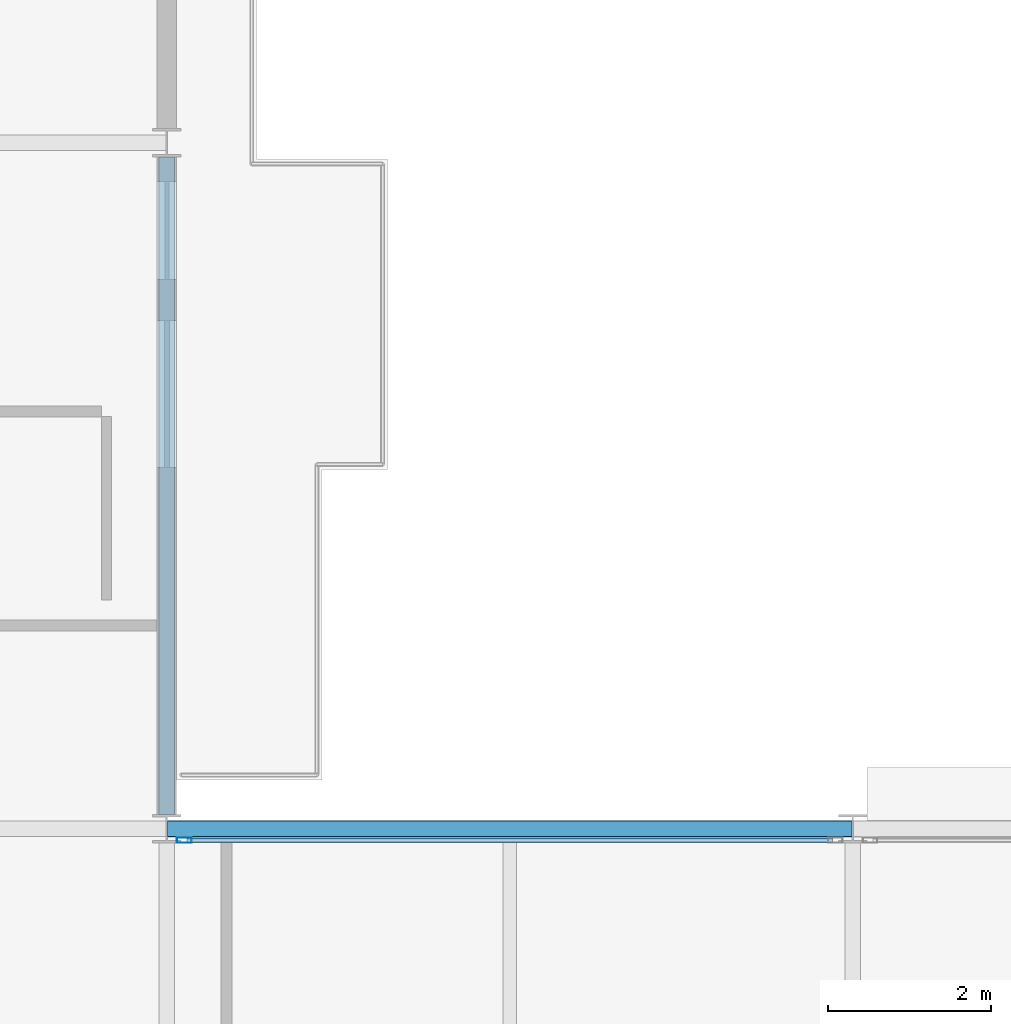
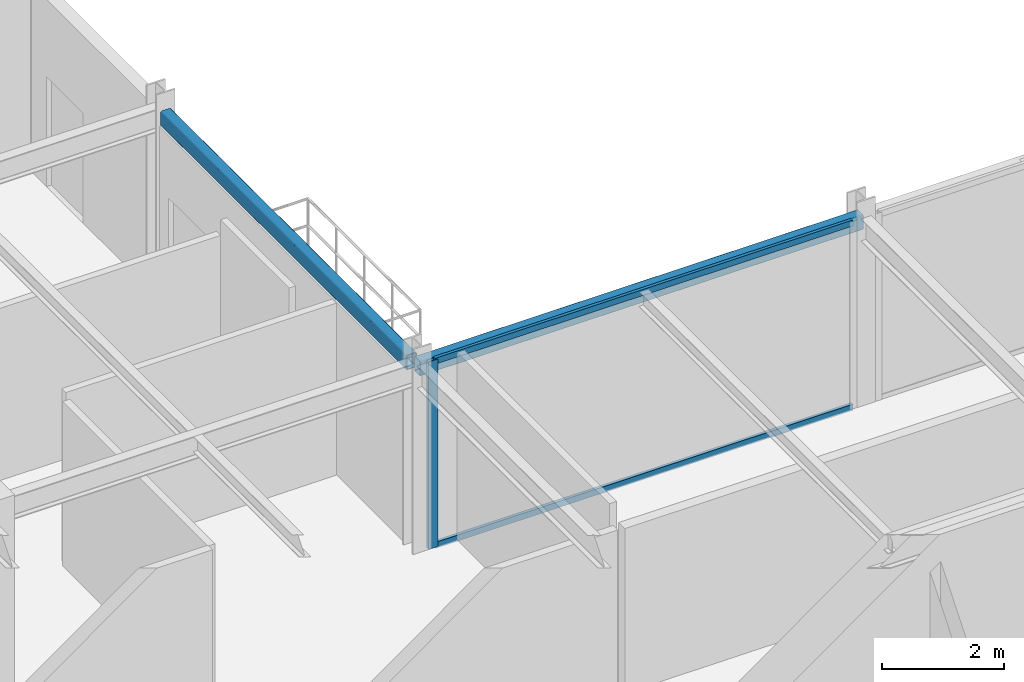
# One storey, part 12 of 26: 3 members, 2 beams, 1 element without a shape of its own.
"""IFC4 building model written with IfcOpenShell, lengths in metres."""

import ifcopenshell
import ifcopenshell.guid

model = None  # the IFC model being written
_history = None  # IfcOwnerHistory: only IFC2X3 demands one
_inside = {}  # id of a spatial element -> (the spatial element, [elements in it])
_under = {}  # id of a project, library or spatial element -> (it, [spatial elements below it])
_declared = {}  # id of a project -> (the project, [libraries it declares])
_typed = {}  # id of a type object -> (the type object, [elements of that type])
_made_of = {}  # id of a material, layer set ... -> (it, [elements and type objects made of it])


def new_model(schema):
    """Start an empty IFC model of exactly this schema.

    Asked for "IFC4X3", IfcOpenShell would pick the latest addendum, in which some entities
    have other attributes; the version numbers below select the first issue.
    IFC2X3 requires an IfcOwnerHistory on every rooted entity: one is made here for all.
    """
    global model, _history
    if schema == "IFC4X3":
        model = ifcopenshell.file(schema_version=(4, 3, 0, 0))
    else:
        model = ifcopenshell.file(schema=schema)
    _inside.clear()
    _under.clear()
    _declared.clear()
    _typed.clear()
    _made_of.clear()
    _history = None
    if model.schema == "IFC2X3":
        org = make("IfcOrganization", Name="unknown")
        user = make(
            "IfcPersonAndOrganization",
            ThePerson=make("IfcPerson", FamilyName="unknown"),
            TheOrganization=org,
        )
        app = make(
            "IfcApplication",
            ApplicationDeveloper=org,
            Version="unknown",
            ApplicationFullName="unknown",
            ApplicationIdentifier="unknown",
        )
        _history = make(
            "IfcOwnerHistory",
            OwningUser=user,
            OwningApplication=app,
            ChangeAction="ADDED",
            CreationDate=0,
        )
    return model


def make(cls, **values):
    """One entity of the class cls with the attributes given. An attribute that is None is left unset."""
    return model.create_entity(
        cls, **{name: value for name, value in values.items() if value is not None}
    )


def rooted(cls, **values):
    """An entity with a GlobalId (a new one), such as an element, a storey or a relation."""
    return make(cls, GlobalId=ifcopenshell.guid.new(), OwnerHistory=_history, **values)


def si_unit(unit_type, name, prefix=None):
    """IfcSIUnit, for example si_unit("LENGTHUNIT", "METRE", prefix="MILLI")."""
    return make("IfcSIUnit", UnitType=unit_type, Prefix=prefix, Name=name)


def assignment(units):
    """IfcUnitAssignment: the units of a project."""
    return None if units is None else make("IfcUnitAssignment", Units=units)


def point(xyz):
    """IfcCartesianPoint."""
    return None if xyz is None else make("IfcCartesianPoint", Coordinates=xyz)


def direction(xyz):
    """IfcDirection."""
    return None if xyz is None else make("IfcDirection", DirectionRatios=xyz)


def frame(location, z_axis=None, x_axis=None):
    """IfcAxis2Placement3D, a coordinate frame: its origin and axes. An axis left out is left unset."""
    return make(
        "IfcAxis2Placement3D",
        Location=point(location),
        Axis=direction(z_axis),
        RefDirection=direction(x_axis),
    )


def frame_2d(location, x_axis=None):
    """IfcAxis2Placement2D, a coordinate frame in the plane: its origin and x axis."""
    return make(
        "IfcAxis2Placement2D", Location=point(location), RefDirection=direction(x_axis)
    )


def origin():
    """The frame at (0, 0, 0) with its axes left unset."""
    return frame((0.0, 0.0, 0.0))


def origin_2d():
    """The frame at (0, 0) in the plane with its x axis left unset."""
    return frame_2d((0.0, 0.0))


def place(relative_to, where):
    """IfcLocalPlacement: puts the frame where relative to a parent placement (None: the world)."""
    return make(
        "IfcLocalPlacement", PlacementRelTo=relative_to, RelativePlacement=where
    )


def context(
    kind, dimensions, precision=None, world=None, true_north=None, identifier=None
):
    """IfcGeometricRepresentationContext, for example the 3D "Model" context."""
    return make(
        "IfcGeometricRepresentationContext",
        ContextIdentifier=identifier,
        ContextType=kind,
        CoordinateSpaceDimension=dimensions,
        Precision=precision,
        WorldCoordinateSystem=world,
        TrueNorth=true_north,
    )


def subcontext(parent, identifier, kind, view, scale=None):
    """IfcGeometricRepresentationSubContext, for example "Body" below "Model"."""
    return make(
        "IfcGeometricRepresentationSubContext",
        ContextIdentifier=identifier,
        ContextType=kind,
        ParentContext=parent,
        TargetScale=scale,
        TargetView=view,
    )


def project(units=None, contexts=None):
    """IfcProject with its units and contexts."""
    return rooted(
        "IfcProject",
        Name="project",
        RepresentationContexts=contexts,
        UnitsInContext=assignment(units),
    )


def spatial(cls, under=None, at=None, **own):
    """A site, building, storey or space (cls), placed at a placement, below another one or the project."""
    s = rooted(cls, ObjectPlacement=at, **own)
    if under is not None:
        _under.setdefault(under.id(), (under, []))[1].append(s)
    return s


def profile(cls, at=None, kind="AREA", **sizes):
    """A parametric profile (cls). Its sizes go by their IFC names, for example OverallWidth=200.0."""
    return make(cls, ProfileType=kind, Position=at, **sizes)


def hollow_rectangle(**sizes):
    """IfcRectangleHollowProfileDef."""
    return profile("IfcRectangleHollowProfileDef", **sizes)


def extrude(swept, where, along, depth):
    """IfcExtrudedAreaSolid: the profile swept, set in the frame where, extruded along a direction by depth."""
    return make(
        "IfcExtrudedAreaSolid",
        SweptArea=swept,
        Position=where,
        ExtrudedDirection=direction(along),
        Depth=depth,
    )


def shape(context_of_items, identifier, shape_type, items):
    """IfcShapeRepresentation: the items that make up one representation, for example the "Body"."""
    return make(
        "IfcShapeRepresentation",
        ContextOfItems=context_of_items,
        RepresentationIdentifier=identifier,
        RepresentationType=shape_type,
        Items=items,
    )


def material(Name=None, Category=None):
    """IfcMaterial."""
    return make("IfcMaterial", Name=Name, Category=Category)


def layer(
    of_material, thickness, ventilated=None, Name=None, Category=None, Priority=None
):
    """IfcMaterialLayer: one layer of a wall or slab, of a material (None: an air gap)."""
    return make(
        "IfcMaterialLayer",
        Material=of_material,
        LayerThickness=thickness,
        IsVentilated=ventilated,
        Name=Name,
        Category=Category,
        Priority=Priority,
    )


def layer_set(layers, Name=None):
    """IfcMaterialLayerSet."""
    return make("IfcMaterialLayerSet", MaterialLayers=layers, LayerSetName=Name)


def material_profile(
    of_material, cross_section, Name=None, Category=None, Priority=None
):
    """IfcMaterialProfile: a cross section and its material."""
    return make(
        "IfcMaterialProfile",
        Name=Name,
        Material=of_material,
        Profile=cross_section,
        Priority=Priority,
        Category=Category,
    )


def profile_set(profiles, Name=None, composite=None):
    """IfcMaterialProfileSet."""
    return make(
        "IfcMaterialProfileSet",
        Name=Name,
        MaterialProfiles=profiles,
        CompositeProfile=composite,
    )


def made_of(thing, what):
    """Note that an element or type object is made of a material, layer set ...; save() writes the relation."""
    if what is not None:
        _made_of.setdefault(what.id(), (what, []))[1].append(thing)
    return thing


def type_object(cls, material=None, **own):
    """A type object (cls), such as IfcWallType, which elements share."""
    return made_of(rooted(cls, **own), material)


def element(
    cls,
    number,
    at=None,
    inside=None,
    cuts=None,
    type_object=None,
    material=None,
    context=None,
    identifier="Body",
    shape_type=None,
    held_by="IfcProductDefinitionShape",
    body=None,
    shapes=None,
    **own,
):
    """One element of the class cls, such as IfcWall. Its Tag is "e" and its number.

    at: its placement. inside: the storey or other place that contains it. cuts: it is an
    opening in that element (IfcRelVoidsElement). A single representation is given by context,
    identifier, shape_type and body (its items); several are given by shapes. held_by: the class
    of the entity that holds the representations. save() writes the other relations.
    """
    e = rooted(cls, Tag="e%d" % number, ObjectPlacement=at, **own)
    if body is not None:
        shapes = [shape(context, identifier, shape_type, body)]
    if shapes is not None:
        e.Representation = make(held_by, Representations=shapes)
    if inside is not None:
        _inside.setdefault(inside.id(), (inside, []))[1].append(e)
    if cuts is not None:
        rooted(
            "IfcRelVoidsElement", RelatingBuildingElement=cuts, RelatedOpeningElement=e
        )
    if type_object is not None:
        _typed.setdefault(type_object.id(), (type_object, []))[1].append(e)
    return made_of(e, material)


def aggregate(whole, parts):
    """IfcRelAggregates: a whole, such as a stair, and the parts it consists of."""
    return rooted("IfcRelAggregates", RelatingObject=whole, RelatedObjects=parts)


def save(model, path):
    """Write the relations noted so far, then the file.

    IfcRelAggregates (storeys below a building ...), IfcRelContainedInSpatialStructure (elements
    in a storey), IfcRelDefinesByType, IfcRelAssociatesMaterial and IfcRelDeclares: one each for
    every whole, place, type object, material and project.
    """
    for whole, parts in _under.values():
        aggregate(whole, parts)
    for where, things in _inside.values():
        rooted(
            "IfcRelContainedInSpatialStructure",
            RelatedElements=things,
            RelatingStructure=where,
        )
    for kind, things in _typed.values():
        rooted("IfcRelDefinesByType", RelatedObjects=things, RelatingType=kind)
    for what, things in _made_of.values():
        rooted("IfcRelAssociatesMaterial", RelatedObjects=things, RelatingMaterial=what)
    for by, libraries in _declared.values():
        rooted("IfcRelDeclares", RelatingContext=by, RelatedDefinitions=libraries)
    model.write(path)


model = new_model("IFC4")

# Units and contexts
model_context = context("Model", 3, precision=1e-05, world=origin(), true_north=direction((0.0, 1.0)))
body_context = subcontext(model_context, "Body", "Model", "MODEL_VIEW")
ifc_project = project(units=[si_unit("LENGTHUNIT", "METRE"), si_unit("AREAUNIT", "SQUARE_METRE"), si_unit("VOLUMEUNIT", "CUBIC_METRE"), si_unit("PLANEANGLEUNIT", "RADIAN"), si_unit("MASSUNIT", "GRAM", prefix="KILO")], contexts=[model_context])

# Site, building, storey
site_placement = place(None, origin())
site = spatial("IfcSite", under=ifc_project, at=site_placement, CompositionType="ELEMENT")
building_placement = place(site_placement, origin())
building = spatial("IfcBuilding", under=site, at=building_placement, Name="Nerrivon Quay Data Exchange", CompositionType="ELEMENT")
storey_placement = place(building_placement, frame((0.0, 0.0, 241.10009765625)))
storey = spatial("IfcBuildingStorey", under=building, at=storey_placement, Name="L57", CompositionType="ELEMENT", Elevation=241.10009765625)

# Beams
ifc_material_1 = material(Name="Steel Grade C350L0 (350 MPa)", Category="steel")
ifc_material_profile_1 = material_profile(ifc_material_1, hollow_rectangle(XDim=0.199951171875, YDim=0.300048828125, WallThickness=0.012451171875, InnerFilletRadius=0.018798828125, OuterFilletRadius=0.03125, at=origin_2d()), Name="300x200x12.5RHS")
ifc_profile_set_1 = profile_set([ifc_material_profile_1], Name="Steel Grade C350L0 (350 MPa)")
beam_type = type_object("IfcBeamType", Name="BM-SP3-300x200RHS", PredefinedType="SPANDREL", material=ifc_profile_set_1)
beam_1_placement = place(storey_placement, frame((25.2099609375, 25.199951171875, 3.599853515625), z_axis=(1.0, 0.0, 0.0), x_axis=(0.0, 1.0, 0.0)))
element("IfcBeam", 1, at=beam_1_placement, inside=storey, type_object=beam_type, Name="L57 EW Girder Y=25.2 (25.2..33.6)", PredefinedType="SPANDREL", context=body_context, shape_type="SweptSolid", body=[
    extrude(hollow_rectangle(XDim=0.199951171875, YDim=0.300048828125, WallThickness=0.012451171875, InnerFilletRadius=0.018798828125, OuterFilletRadius=0.03125, at=origin_2d()), origin(), (0.0, 0.0, 1.0), 8.380126953125),
])
beam_2_placement = place(storey_placement, frame((25.199951171875, 25.375, 3.599853515625), z_axis=(0.0, 1.0, 0.0), x_axis=(-1.0, 0.0, 0.0)))
element("IfcBeam", 2, at=beam_2_placement, inside=storey, type_object=beam_type, Name="L57 NS Girder X=25.2 (25.2..33.6)", PredefinedType="SPANDREL", context=body_context, shape_type="SweptSolid", body=[
    extrude(hollow_rectangle(XDim=0.199951171875, YDim=0.300048828125, WallThickness=0.012451171875, InnerFilletRadius=0.018798828125, OuterFilletRadius=0.03125, at=origin_2d()), origin(), (0.0, 0.0, 1.0), 8.050048828125),
])

# Curtain wall, members
ifc_material_2 = material(Name="Anodised aluminium 6063-T6", Category="aluminium")
ifc_layer = layer(ifc_material_2, 0.195068359375)
ifc_layer_set = layer_set([ifc_layer], Name="Anodised aluminium 6063-T6")
curtain_wall_type = type_object("IfcCurtainWallType", Name="CW-SYS-06", PredefinedType="NOTDEFINED", material=ifc_layer_set)
curtain_wall_placement = place(storey_placement, origin())
curtain_wall = element("IfcCurtainWall", 3, at=curtain_wall_placement, inside=storey, type_object=curtain_wall_type, Name="L57 Unitised Curtain Wall 24", PredefinedType="NOTDEFINED")
ifc_material_profile_2 = material_profile(ifc_material_2, hollow_rectangle(XDim=0.06494140625, YDim=0.179931640625, WallThickness=0.00341796875, at=origin_2d()), Name="ALU-MULL-180x65")
ifc_profile_set_2 = profile_set([ifc_material_profile_2], Name="Anodised aluminium 6063-T6")
member_type_1 = type_object("IfcMemberType", Name="CWM-180x65", PredefinedType="MULLION", material=ifc_profile_set_2)
member_1_placement = place(storey_placement, frame((25.41259765625, 25.06005859375, 0.0), z_axis=(0.0, 0.0, 1.0), x_axis=(0.0, 1.0, 0.0)))
member_1 = element("IfcMember", 4, at=member_1_placement, type_object=member_type_1, Name="CW06 mullion 1", PredefinedType="MULLION", context=body_context, shape_type="SweptSolid", body=[
    extrude(hollow_rectangle(XDim=0.06494140625, YDim=0.179931640625, WallThickness=0.00341796875, at=origin_2d()), origin(), (0.0, 0.0, 1.0), 3.75),
])
ifc_material_profile_3 = material_profile(ifc_material_2, hollow_rectangle(XDim=0.06005859375, YDim=0.1201171875, WallThickness=0.003173828125, at=origin_2d()), Name="ALU-TRAN-120x60")
ifc_profile_set_3 = profile_set([ifc_material_profile_3], Name="Anodised aluminium 6063-T6")
member_type_2 = type_object("IfcMemberType", Name="CWT-120x60", PredefinedType="USERDEFINED", material=ifc_profile_set_3)
member_2_placement = place(storey_placement, frame((25.449951171875, 25.06005859375, 0.032470703125), z_axis=(1.0, 0.0, 0.0), x_axis=(0.0, 1.0, 0.0)))
member_2 = element("IfcMember", 5, at=member_2_placement, type_object=member_type_2, Name="CW06 transom 1.1", ObjectType="TRANSOM", PredefinedType="USERDEFINED", context=body_context, shape_type="SweptSolid", body=[
    extrude(hollow_rectangle(XDim=0.06005859375, YDim=0.1201171875, WallThickness=0.003173828125, at=origin_2d()), origin(), (0.0, 0.0, 1.0), 7.900146484375),
])
member_3_placement = place(storey_placement, frame((25.449951171875, 25.06005859375, 3.71728515625), z_axis=(1.0, 0.0, 0.0), x_axis=(0.0, 1.0, 0.0)))
member_3 = element("IfcMember", 6, at=member_3_placement, type_object=member_type_2, Name="CW06 transom 1.2", ObjectType="TRANSOM", PredefinedType="USERDEFINED", context=body_context, shape_type="SweptSolid", body=[
    extrude(hollow_rectangle(XDim=0.06005859375, YDim=0.1201171875, WallThickness=0.003173828125, at=origin_2d()), origin(), (0.0, 0.0, 1.0), 7.900146484375),
])
aggregate(curtain_wall, [member_1, member_2, member_3])

save(model, "model.ifc")
